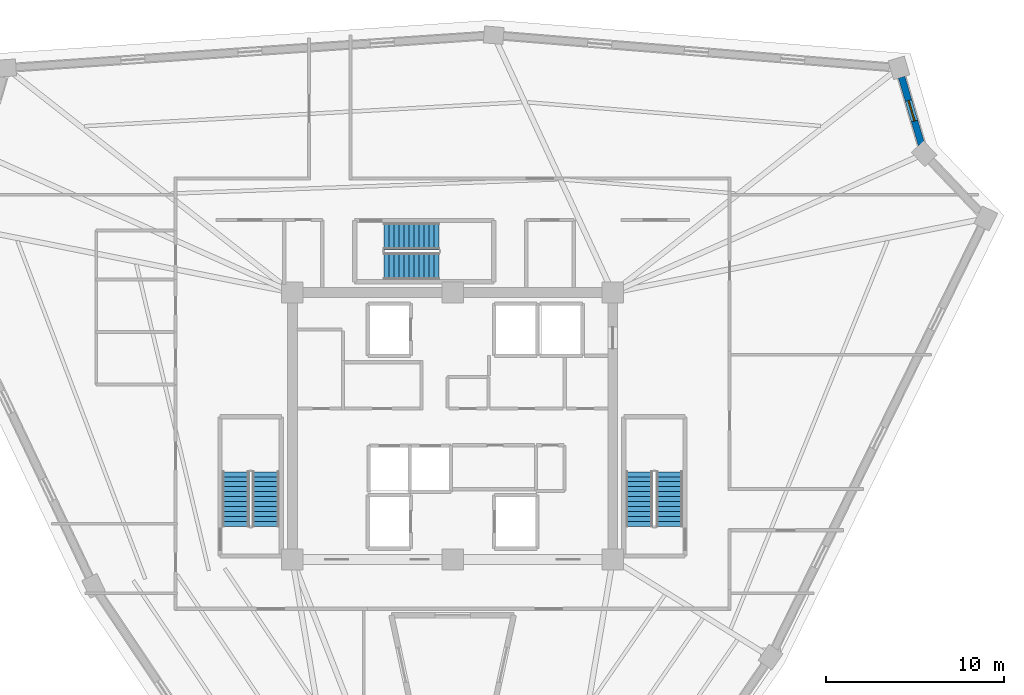
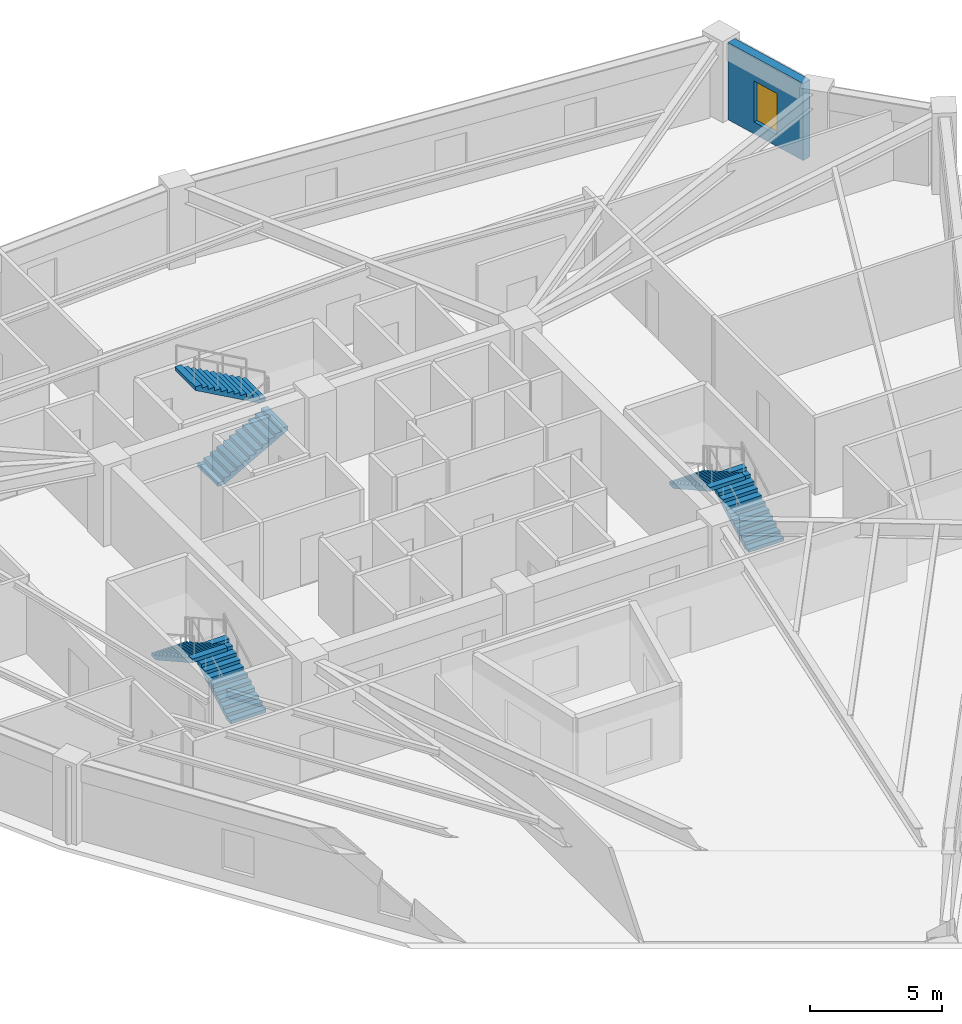
# One storey, part 7 of 10: 6 stair flights, 1 wall, 1 window, 1 opening, 3 elements without a shape of their own.
"""IFC4 building model written with IfcOpenShell, lengths in metres."""

from ifc_helpers import new_model, si_unit, direction, frame, frame_2d, origin, place, context, subcontext, project, spatial, polyline, rectangle, outline, extrude, source, transform, mapped, material, layer, layer_set, type_object, element, fill, aggregate, save


model = new_model("IFC4")

# Units and contexts
model_context = context("Model", 3, precision=1e-05, world=origin(), true_north=direction((0.0, 1.0)))
body_context = subcontext(model_context, "Body", "Model", "MODEL_VIEW")
ifc_project = project(units=[si_unit("LENGTHUNIT", "METRE"), si_unit("AREAUNIT", "SQUARE_METRE"), si_unit("VOLUMEUNIT", "CUBIC_METRE"), si_unit("PLANEANGLEUNIT", "RADIAN"), si_unit("MASSUNIT", "GRAM", prefix="KILO")], contexts=[model_context])

# Site, building, storey
site_placement = place(None, origin())
site = spatial("IfcSite", under=ifc_project, at=site_placement, CompositionType="ELEMENT")
building_placement = place(site_placement, origin())
building = spatial("IfcBuilding", under=site, at=building_placement, Name="Liaohun Quay Tower", CompositionType="ELEMENT")
storey_placement = place(building_placement, frame((0.0, 0.0, 309.0)))
storey = spatial("IfcBuildingStorey", under=building, at=storey_placement, Name="L80", CompositionType="ELEMENT", Elevation=309.0)

# Wall, opening, window
ifc_material_1 = material(Name="Precast concrete C50 insulated sandwich", Category="concrete")
ifc_layer = layer(ifc_material_1, 0.3798828125, Name="Precast concrete C50 insulated sandwich", Category="concrete")
ifc_layer_set = layer_set([ifc_layer], Name="Precast concrete C50 insulated sandwich")
wall_type = type_object("IfcWallType", Name="WAL-EXT-Z34", PredefinedType="SOLIDWALL", material=ifc_layer_set)
wall_placement = place(storey_placement, frame((86.340087890625, 69.81396484375, 0.0), z_axis=(0.0, 0.0, 1.0), x_axis=(-0.28233716639, 0.959315237279, 0.0)))
wall = element("IfcWall", 1, at=wall_placement, inside=storey, type_object=wall_type, Name="L80 Brutalist Precast Pier Wall 05", PredefinedType="SOLIDWALL", context=body_context, shape_type="SweptSolid", body=[
    extrude(rectangle(XDim=3.94580078125, YDim=0.3798828125, at=frame_2d((1.972900390625, 0.0))), origin(), (0.0, 0.0, 1.0), 3.570068359375),
])
shared_shape_1 = source(origin(), body_context, "Body", "SweptSolid", [
    extrude(rectangle(XDim=1.199951171875, YDim=1.89990234375, at=frame_2d((0.60009765625, 0.949951171875))), frame((0.0, 0.199951171875, 0.0), z_axis=(0.0, -1.0, 0.0), x_axis=(1.0, 0.0, 0.0)), (0.0, 0.0, 1.0), 0.39990234375),
])
opening_placement = place(wall_placement, frame((1.373046875, 0.0, 0.550048828125)))
opening = element("IfcOpeningElement", 2, at=opening_placement, cuts=wall, Name="Opening W05", PredefinedType="OPENING", context=body_context, shape_type="MappedRepresentation", body=[
    mapped(shared_shape_1, transform((0.0, 0.0, 0.0), x_axis=(1.0, 0.0, 0.0), y_axis=(0.0, 1.0, 0.0), z_axis=(0.0, 0.0, 1.0), scale=1.0)),
])
ifc_material_2 = material(Name="Triple Low-E corner notch glazing", Category="glass")
window_type = type_object("IfcWindowType", Name="WIN-NOTCH", PartitioningType="SINGLE_PANEL", PredefinedType="WINDOW", material=ifc_material_2)
shared_shape_2 = source(origin(), body_context, "Body", "SweptSolid", [
    extrude(rectangle(XDim=1.199951171875, YDim=1.89990234375, at=frame_2d((0.60009765625, 0.949951171875))), frame((0.0, 0.030029296875, 0.0), z_axis=(0.0, -1.0, 0.0), x_axis=(1.0, 0.0, 0.0)), (0.0, 0.0, 1.0), 0.06005859375),
])
window_placement = place(opening_placement, origin())
window = element("IfcWindow", 3, at=window_placement, inside=storey, type_object=window_type, Name="L80 Corner Notch Window W05-05", OverallHeight=1.89990234375, OverallWidth=1.199951171875, PartitioningType="SINGLE_PANEL", PredefinedType="WINDOW", context=body_context, shape_type="MappedRepresentation", body=[
    mapped(shared_shape_2, transform((0.0, 0.0, 0.0), x_axis=(1.0, 0.0, 0.0), y_axis=(0.0, 1.0, 0.0), z_axis=(0.0, 0.0, 1.0), scale=1.0)),
])
fill(opening, window)

# Stair, stair flights
ifc_material_3 = material(Name="Concrete C45", Category="concrete")
stair_type = type_object("IfcStairType", Name="STR-CORE-OFF", PredefinedType="HALF_TURN_STAIR", material=ifc_material_3)
stair_1_placement = place(storey_placement, origin())
stair_1 = element("IfcStair", 4, at=stair_1_placement, inside=storey, type_object=stair_type, Name="L80 Smokeproof Core Exit Stair ST-1", PredefinedType="HALF_TURN_STAIR")
stair_flight_type = type_object("IfcStairFlightType", Name="FLT-CORE-155", PredefinedType="STRAIGHT", material=ifc_material_3)
stair_flight_1_placement = place(storey_placement, frame((49.5048828125, 48.35009765625, 0.0), z_axis=(0.0, 0.0, 1.0), x_axis=(0.0, 1.0, 0.0)))
stair_flight_1 = element("IfcStairFlight", 5, at=stair_flight_1_placement, type_object=stair_flight_type, Name="ST-1 flight 1", NumberOfRisers=12, NumberOfTreads=11, PredefinedType="STRAIGHT", RiserHeight=0.15625, TreadLength=0.28, context=body_context, shape_type="SweptSolid", body=[
    extrude(outline(polyline([(0.0, 0.0), (0.0, 0.15625), (0.280029296875, 0.15625), (0.280029296875, 0.3125), (0.56005859375, 0.3125), (0.56005859375, 0.46875), (0.840087890625, 0.46875), (0.840087890625, 0.625), (1.1201171875, 0.625), (1.1201171875, 0.78125), (1.39990234375, 0.78125), (1.39990234375, 0.9375), (1.679931640625, 0.9375), (1.679931640625, 1.09375), (1.9599609375, 1.09375), (1.9599609375, 1.25), (2.239990234375, 1.25), (2.239990234375, 1.40625), (2.52001953125, 1.40625), (2.52001953125, 1.5625), (2.800048828125, 1.5625), (2.800048828125, 1.71875), (3.080078125, 1.71875), (3.080078125, 1.875), (3.080078125, 1.547119140625), (0.3076171875, 0.0), (0.0, 0.0)])), frame((0.0, 0.77490234375, 0.0), z_axis=(0.0, -1.0, 0.0), x_axis=(1.0, 0.0, 0.0)), (0.0, 0.0, 1.0), 1.550048828125),
])
stair_flight_2_placement = place(storey_placement, frame((47.81494140625, 51.429931640625, 1.875), z_axis=(0.0, 0.0, 1.0), x_axis=(0.0, -1.0, 0.0)))
stair_flight_2 = element("IfcStairFlight", 6, at=stair_flight_2_placement, type_object=stair_flight_type, Name="ST-1 flight 2", NumberOfRisers=12, NumberOfTreads=11, PredefinedType="STRAIGHT", RiserHeight=0.15625, TreadLength=0.28, context=body_context, shape_type="SweptSolid", body=[
    extrude(outline(polyline([(0.0, 0.0), (0.0, 0.15625), (0.280029296875, 0.15625), (0.280029296875, 0.3125), (0.56005859375, 0.3125), (0.56005859375, 0.46875), (0.840087890625, 0.46875), (0.840087890625, 0.625), (1.1201171875, 0.625), (1.1201171875, 0.78125), (1.39990234375, 0.78125), (1.39990234375, 0.9375), (1.679931640625, 0.9375), (1.679931640625, 1.09375), (1.9599609375, 1.09375), (1.9599609375, 1.25), (2.239990234375, 1.25), (2.239990234375, 1.40625), (2.52001953125, 1.40625), (2.52001953125, 1.5625), (2.800048828125, 1.5625), (2.800048828125, 1.71875), (3.080078125, 1.71875), (3.080078125, 1.875), (3.080078125, 1.547119140625), (0.3076171875, 0.0), (0.0, 0.0)])), frame((0.0, 0.77490234375, 0.0), z_axis=(0.0, -1.0, 0.0), x_axis=(1.0, 0.0, 0.0)), (0.0, 0.0, 1.0), 1.550048828125),
])
aggregate(stair_1, [stair_flight_1, stair_flight_2])

stair_2_placement = place(storey_placement, origin())
stair_2 = element("IfcStair", 7, at=stair_2_placement, inside=storey, type_object=stair_type, Name="L80 Smokeproof Core Exit Stair ST-2", PredefinedType="HALF_TURN_STAIR")
stair_flight_3_placement = place(storey_placement, frame((72.18505859375, 48.35009765625, 0.0), z_axis=(0.0, 0.0, 1.0), x_axis=(0.0, 1.0, 0.0)))
stair_flight_3 = element("IfcStairFlight", 8, at=stair_flight_3_placement, type_object=stair_flight_type, Name="ST-2 flight 1", NumberOfRisers=12, NumberOfTreads=11, PredefinedType="STRAIGHT", RiserHeight=0.15625, TreadLength=0.28, context=body_context, shape_type="SweptSolid", body=[
    extrude(outline(polyline([(0.0, 0.0), (0.0, 0.15625), (0.280029296875, 0.15625), (0.280029296875, 0.3125), (0.56005859375, 0.3125), (0.56005859375, 0.46875), (0.840087890625, 0.46875), (0.840087890625, 0.625), (1.1201171875, 0.625), (1.1201171875, 0.78125), (1.39990234375, 0.78125), (1.39990234375, 0.9375), (1.679931640625, 0.9375), (1.679931640625, 1.09375), (1.9599609375, 1.09375), (1.9599609375, 1.25), (2.239990234375, 1.25), (2.239990234375, 1.40625), (2.52001953125, 1.40625), (2.52001953125, 1.5625), (2.800048828125, 1.5625), (2.800048828125, 1.71875), (3.080078125, 1.71875), (3.080078125, 1.875), (3.080078125, 1.547119140625), (0.3076171875, 0.0), (0.0, 0.0)])), frame((0.0, 0.77490234375, 0.0), z_axis=(0.0, -1.0, 0.0), x_axis=(1.0, 0.0, 0.0)), (0.0, 0.0, 1.0), 1.550048828125),
])
stair_flight_4_placement = place(storey_placement, frame((70.4951171875, 51.429931640625, 1.875), z_axis=(0.0, 0.0, 1.0), x_axis=(0.0, -1.0, 0.0)))
stair_flight_4 = element("IfcStairFlight", 9, at=stair_flight_4_placement, type_object=stair_flight_type, Name="ST-2 flight 2", NumberOfRisers=12, NumberOfTreads=11, PredefinedType="STRAIGHT", RiserHeight=0.15625, TreadLength=0.28, context=body_context, shape_type="SweptSolid", body=[
    extrude(outline(polyline([(0.0, 0.0), (0.0, 0.15625), (0.280029296875, 0.15625), (0.280029296875, 0.3125), (0.56005859375, 0.3125), (0.56005859375, 0.46875), (0.840087890625, 0.46875), (0.840087890625, 0.625), (1.1201171875, 0.625), (1.1201171875, 0.78125), (1.39990234375, 0.78125), (1.39990234375, 0.9375), (1.679931640625, 0.9375), (1.679931640625, 1.09375), (1.9599609375, 1.09375), (1.9599609375, 1.25), (2.239990234375, 1.25), (2.239990234375, 1.40625), (2.52001953125, 1.40625), (2.52001953125, 1.5625), (2.800048828125, 1.5625), (2.800048828125, 1.71875), (3.080078125, 1.71875), (3.080078125, 1.875), (3.080078125, 1.547119140625), (0.3076171875, 0.0), (0.0, 0.0)])), frame((0.0, 0.77490234375, 0.0), z_axis=(0.0, -1.0, 0.0), x_axis=(1.0, 0.0, 0.0)), (0.0, 0.0, 1.0), 1.550048828125),
])
aggregate(stair_2, [stair_flight_3, stair_flight_4])

stair_3_placement = place(storey_placement, origin())
stair_3 = element("IfcStair", 10, at=stair_3_placement, inside=storey, type_object=stair_type, Name="L80 Smokeproof Core Exit Stair ST-3", PredefinedType="HALF_TURN_STAIR")
stair_flight_5_placement = place(storey_placement, frame((56.14990234375, 62.97509765625, 0.0), z_axis=(0.0, 0.0, 1.0), x_axis=(1.0, 0.0, 0.0)))
stair_flight_5 = element("IfcStairFlight", 11, at=stair_flight_5_placement, type_object=stair_flight_type, Name="ST-3 flight 1", NumberOfRisers=12, NumberOfTreads=11, PredefinedType="STRAIGHT", RiserHeight=0.15625, TreadLength=0.28, context=body_context, shape_type="SweptSolid", body=[
    extrude(outline(polyline([(0.0, 0.0), (0.0, 0.15625), (0.280029296875, 0.15625), (0.280029296875, 0.3125), (0.56005859375, 0.3125), (0.56005859375, 0.46875), (0.840087890625, 0.46875), (0.840087890625, 0.625), (1.1201171875, 0.625), (1.1201171875, 0.78125), (1.39990234375, 0.78125), (1.39990234375, 0.9375), (1.679931640625, 0.9375), (1.679931640625, 1.09375), (1.9599609375, 1.09375), (1.9599609375, 1.25), (2.239990234375, 1.25), (2.239990234375, 1.40625), (2.52001953125, 1.40625), (2.52001953125, 1.5625), (2.800048828125, 1.5625), (2.800048828125, 1.71875), (3.080078125, 1.71875), (3.080078125, 1.875), (3.080078125, 1.547119140625), (0.3076171875, 0.0), (0.0, 0.0)])), frame((0.0, 0.77490234375, 0.0), z_axis=(0.0, -1.0, 0.0), x_axis=(1.0, 0.0, 0.0)), (0.0, 0.0, 1.0), 1.550048828125),
])
stair_flight_6_placement = place(storey_placement, frame((59.22998046875, 64.6650390625, 1.875), z_axis=(0.0, 0.0, 1.0), x_axis=(-1.0, 0.0, 0.0)))
stair_flight_6 = element("IfcStairFlight", 12, at=stair_flight_6_placement, type_object=stair_flight_type, Name="ST-3 flight 2", NumberOfRisers=12, NumberOfTreads=11, PredefinedType="STRAIGHT", RiserHeight=0.15625, TreadLength=0.28, context=body_context, shape_type="SweptSolid", body=[
    extrude(outline(polyline([(0.0, 0.0), (0.0, 0.15625), (0.280029296875, 0.15625), (0.280029296875, 0.3125), (0.56005859375, 0.3125), (0.56005859375, 0.46875), (0.840087890625, 0.46875), (0.840087890625, 0.625), (1.1201171875, 0.625), (1.1201171875, 0.78125), (1.39990234375, 0.78125), (1.39990234375, 0.9375), (1.679931640625, 0.9375), (1.679931640625, 1.09375), (1.9599609375, 1.09375), (1.9599609375, 1.25), (2.239990234375, 1.25), (2.239990234375, 1.40625), (2.52001953125, 1.40625), (2.52001953125, 1.5625), (2.800048828125, 1.5625), (2.800048828125, 1.71875), (3.080078125, 1.71875), (3.080078125, 1.875), (3.080078125, 1.547119140625), (0.3076171875, 0.0), (0.0, 0.0)])), frame((0.0, 0.77490234375, 0.0), z_axis=(0.0, -1.0, 0.0), x_axis=(1.0, 0.0, 0.0)), (0.0, 0.0, 1.0), 1.550048828125),
])
aggregate(stair_3, [stair_flight_5, stair_flight_6])

save(model, "model.ifc")
